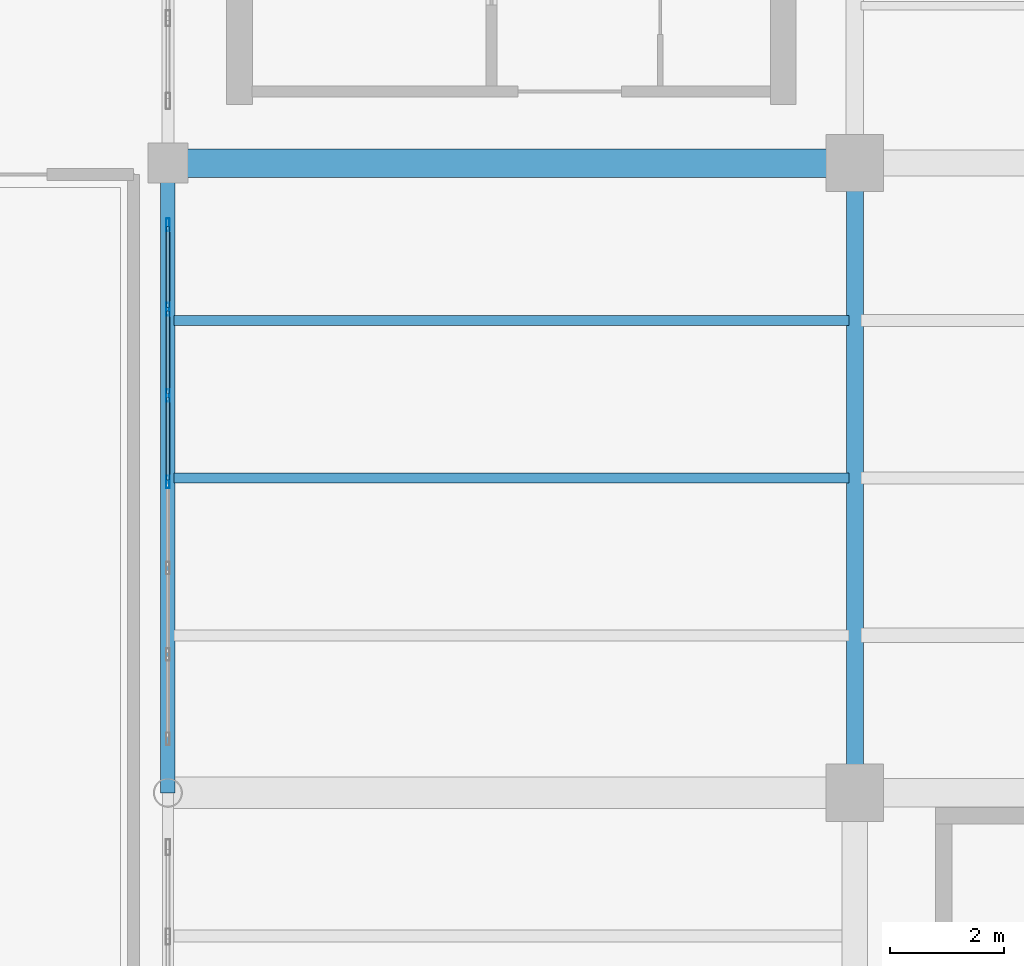
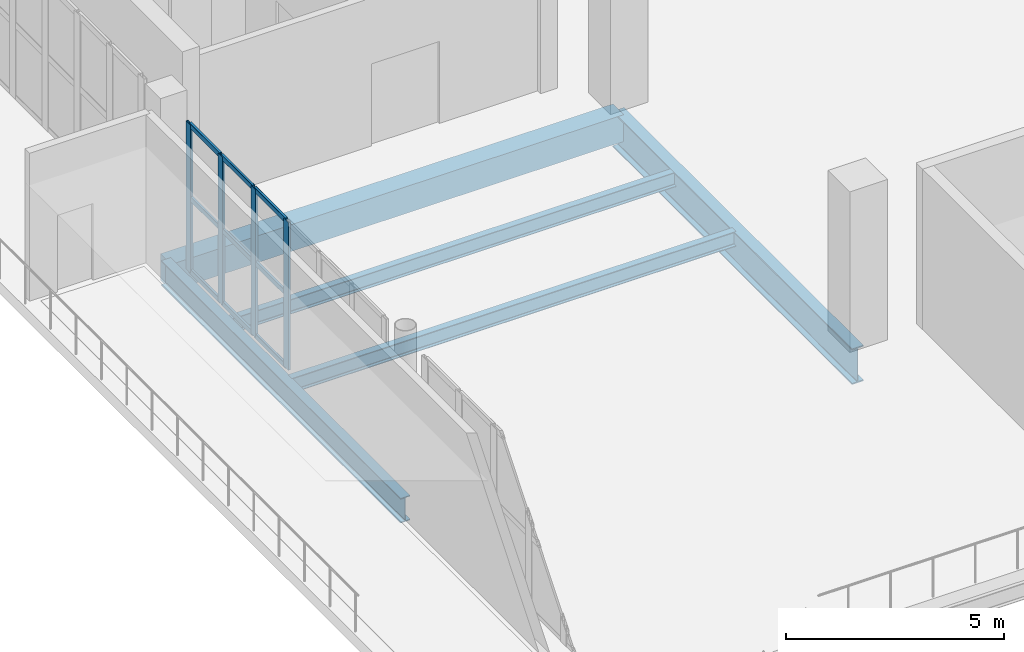
# One storey, part 15 of 108: 13 members, 5 beams, 1 element without a shape of its own.
"""IFC4 building model written with IfcOpenShell, lengths in metres."""

from ifc_helpers import new_model, si_unit, direction, frame, origin, origin_2d, place, context, subcontext, project, spatial, rectangle, hollow_rectangle, i_section, extrude, material, layer, layer_set, material_profile, profile_set, type_object, element, aggregate, save


model = new_model("IFC4")

# Units and contexts
model_context = context("Model", 3, precision=1e-05, world=origin(), true_north=direction((0.0, 1.0)))
body_context = subcontext(model_context, "Body", "Model", "MODEL_VIEW")
ifc_project = project(units=[si_unit("LENGTHUNIT", "METRE"), si_unit("AREAUNIT", "SQUARE_METRE"), si_unit("VOLUMEUNIT", "CUBIC_METRE"), si_unit("PLANEANGLEUNIT", "RADIAN"), si_unit("MASSUNIT", "GRAM", prefix="KILO")], contexts=[model_context])

# Site, building, storey
site_placement = place(None, origin())
site = spatial("IfcSite", under=ifc_project, at=site_placement, CompositionType="ELEMENT")
building_placement = place(site_placement, origin())
building = spatial("IfcBuilding", under=site, at=building_placement, Name="Brinegate Civic Arena", CompositionType="ELEMENT")
storey_placement = place(building_placement, frame((0.0, 0.0, 10.199951171875)))
storey = spatial("IfcBuildingStorey", under=building, at=storey_placement, Name="L02", CompositionType="ELEMENT", Elevation=10.199951171875)

# Curtain wall, members
ifc_material_1 = material(Name="Marine grade aluminium", Category="aluminium")
ifc_layer = layer(ifc_material_1, 0.199951171875, Name="Marine grade aluminium")
ifc_layer_set = layer_set([ifc_layer], Name="Marine grade aluminium")
curtain_wall_type = type_object("IfcCurtainWallType", Name="CW-BOWL-GLAZED-01", PredefinedType="USERDEFINED", material=ifc_layer_set)
curtain_wall_placement = place(storey_placement, origin())
curtain_wall = element("IfcCurtainWall", 1, at=curtain_wall_placement, inside=storey, type_object=curtain_wall_type, Name="Curtain Wall CWA-077", ObjectType="GLAZED CURTAIN WALL", PredefinedType="USERDEFINED")
ifc_material_profile_1 = material_profile(ifc_material_1, hollow_rectangle(XDim=0.06494140625, YDim=0.219970703125, WallThickness=0.006103515625, InnerFilletRadius=0.00390625, OuterFilletRadius=0.008056640625, at=origin_2d()), Name="MUL65X220")
ifc_profile_set_1 = profile_set([ifc_material_profile_1], Name="Marine grade aluminium")
member_type_1 = type_object("IfcMemberType", Name="CW-MULLION-65X220", PredefinedType="MULLION", material=ifc_profile_set_1)
member_1_placement = place(storey_placement, frame((48.0, 25.431884765625, 0.0), z_axis=(0.0, 0.0, 1.0), x_axis=(-1.0, 0.0, 0.0)))
member_1 = element("IfcMember", 2, at=member_1_placement, type_object=member_type_1, Name="CWA-077 mullion 4", PredefinedType="MULLION", context=body_context, shape_type="SweptSolid", body=[
    extrude(hollow_rectangle(XDim=0.06494140625, YDim=0.219970703125, WallThickness=0.006103515625, InnerFilletRadius=0.00390625, OuterFilletRadius=0.008056640625, at=origin_2d()), origin(), (0.0, 0.0, 1.0), 4.150146484375),
])
member_2_placement = place(storey_placement, frame((48.0, 26.939697265625, 0.0), z_axis=(0.0, 0.0, 1.0), x_axis=(-1.0, 0.0, 0.0)))
member_2 = element("IfcMember", 3, at=member_2_placement, type_object=member_type_1, Name="CWA-077 mullion 5", PredefinedType="MULLION", context=body_context, shape_type="SweptSolid", body=[
    extrude(hollow_rectangle(XDim=0.06494140625, YDim=0.219970703125, WallThickness=0.006103515625, InnerFilletRadius=0.00390625, OuterFilletRadius=0.008056640625, at=origin_2d()), origin(), (0.0, 0.0, 1.0), 4.150146484375),
])
member_3_placement = place(storey_placement, frame((48.0, 28.447265625, 0.0), z_axis=(0.0, 0.0, 1.0), x_axis=(-1.0, 0.0, 0.0)))
member_3 = element("IfcMember", 4, at=member_3_placement, type_object=member_type_1, Name="CWA-077 mullion 6", PredefinedType="MULLION", context=body_context, shape_type="SweptSolid", body=[
    extrude(hollow_rectangle(XDim=0.06494140625, YDim=0.219970703125, WallThickness=0.006103515625, InnerFilletRadius=0.00390625, OuterFilletRadius=0.008056640625, at=origin_2d()), origin(), (0.0, 0.0, 1.0), 4.150146484375),
])
member_4_placement = place(storey_placement, frame((48.0, 29.922607421875, 0.0), z_axis=(0.0, 0.0, 1.0), x_axis=(-1.0, 0.0, 0.0)))
member_4 = element("IfcMember", 5, at=member_4_placement, type_object=member_type_1, Name="CWA-077 mullion 7", PredefinedType="MULLION", context=body_context, shape_type="SweptSolid", body=[
    extrude(hollow_rectangle(XDim=0.06494140625, YDim=0.219970703125, WallThickness=0.006103515625, InnerFilletRadius=0.00390625, OuterFilletRadius=0.008056640625, at=origin_2d()), origin(), (0.0, 0.0, 1.0), 4.150146484375),
])
ifc_material_profile_2 = material_profile(ifc_material_1, hollow_rectangle(XDim=0.06494140625, YDim=0.139892578125, WallThickness=0.0048828125, InnerFilletRadius=0.00390625, OuterFilletRadius=0.008056640625, at=origin_2d()), Name="TRN65X140")
ifc_profile_set_2 = profile_set([ifc_material_profile_2], Name="Marine grade aluminium")
member_type_2 = type_object("IfcMemberType", Name="CW-TRANSOM-65X140", PredefinedType="USERDEFINED", material=ifc_profile_set_2)
member_5_placement = place(storey_placement, frame((48.0, 25.464599609375, 0.032470703125), z_axis=(0.0, 1.0, 0.0), x_axis=(-1.0, 0.0, 0.0)))
member_5 = element("IfcMember", 6, at=member_5_placement, type_object=member_type_2, Name="CWA-077 transom 4.1", ObjectType="TRANSOM", PredefinedType="USERDEFINED", context=body_context, shape_type="SweptSolid", body=[
    extrude(hollow_rectangle(XDim=0.06494140625, YDim=0.139892578125, WallThickness=0.0048828125, InnerFilletRadius=0.00390625, OuterFilletRadius=0.008056640625, at=origin_2d()), origin(), (0.0, 0.0, 1.0), 1.442626953125),
])
member_6_placement = place(storey_placement, frame((48.0, 25.464599609375, 2.074951171875), z_axis=(0.0, 1.0, 0.0), x_axis=(-1.0, 0.0, 0.0)))
member_6 = element("IfcMember", 7, at=member_6_placement, type_object=member_type_2, Name="CWA-077 transom 4.2", ObjectType="TRANSOM", PredefinedType="USERDEFINED", context=body_context, shape_type="SweptSolid", body=[
    extrude(hollow_rectangle(XDim=0.06494140625, YDim=0.139892578125, WallThickness=0.0048828125, InnerFilletRadius=0.00390625, OuterFilletRadius=0.008056640625, at=origin_2d()), origin(), (0.0, 0.0, 1.0), 1.442626953125),
])
member_7_placement = place(storey_placement, frame((48.0, 25.464599609375, 4.117431640625), z_axis=(0.0, 1.0, 0.0), x_axis=(-1.0, 0.0, 0.0)))
member_7 = element("IfcMember", 8, at=member_7_placement, type_object=member_type_2, Name="CWA-077 transom 4.3", ObjectType="TRANSOM", PredefinedType="USERDEFINED", context=body_context, shape_type="SweptSolid", body=[
    extrude(hollow_rectangle(XDim=0.06494140625, YDim=0.139892578125, WallThickness=0.0048828125, InnerFilletRadius=0.00390625, OuterFilletRadius=0.008056640625, at=origin_2d()), origin(), (0.0, 0.0, 1.0), 1.442626953125),
])
member_8_placement = place(storey_placement, frame((48.0, 26.97216796875, 0.032470703125), z_axis=(0.0, 1.0, 0.0), x_axis=(-1.0, 0.0, 0.0)))
member_8 = element("IfcMember", 9, at=member_8_placement, type_object=member_type_2, Name="CWA-077 transom 5.1", ObjectType="TRANSOM", PredefinedType="USERDEFINED", context=body_context, shape_type="SweptSolid", body=[
    extrude(hollow_rectangle(XDim=0.06494140625, YDim=0.139892578125, WallThickness=0.0048828125, InnerFilletRadius=0.00390625, OuterFilletRadius=0.008056640625, at=origin_2d()), origin(), (0.0, 0.0, 1.0), 1.442626953125),
])
member_9_placement = place(storey_placement, frame((48.0, 26.97216796875, 2.074951171875), z_axis=(0.0, 1.0, 0.0), x_axis=(-1.0, 0.0, 0.0)))
member_9 = element("IfcMember", 10, at=member_9_placement, type_object=member_type_2, Name="CWA-077 transom 5.2", ObjectType="TRANSOM", PredefinedType="USERDEFINED", context=body_context, shape_type="SweptSolid", body=[
    extrude(hollow_rectangle(XDim=0.06494140625, YDim=0.139892578125, WallThickness=0.0048828125, InnerFilletRadius=0.00390625, OuterFilletRadius=0.008056640625, at=origin_2d()), origin(), (0.0, 0.0, 1.0), 1.442626953125),
])
member_10_placement = place(storey_placement, frame((48.0, 26.97216796875, 4.117431640625), z_axis=(0.0, 1.0, 0.0), x_axis=(-1.0, 0.0, 0.0)))
member_10 = element("IfcMember", 11, at=member_10_placement, type_object=member_type_2, Name="CWA-077 transom 5.3", ObjectType="TRANSOM", PredefinedType="USERDEFINED", context=body_context, shape_type="SweptSolid", body=[
    extrude(hollow_rectangle(XDim=0.06494140625, YDim=0.139892578125, WallThickness=0.0048828125, InnerFilletRadius=0.00390625, OuterFilletRadius=0.008056640625, at=origin_2d()), origin(), (0.0, 0.0, 1.0), 1.442626953125),
])
member_11_placement = place(storey_placement, frame((48.0, 28.479736328125, 0.032470703125), z_axis=(0.0, 1.0, 0.0), x_axis=(-1.0, 0.0, 0.0)))
member_11 = element("IfcMember", 12, at=member_11_placement, type_object=member_type_2, Name="CWA-077 transom 6.1", ObjectType="TRANSOM", PredefinedType="USERDEFINED", context=body_context, shape_type="SweptSolid", body=[
    extrude(hollow_rectangle(XDim=0.06494140625, YDim=0.139892578125, WallThickness=0.0048828125, InnerFilletRadius=0.00390625, OuterFilletRadius=0.008056640625, at=origin_2d()), origin(), (0.0, 0.0, 1.0), 1.41015625),
])
member_12_placement = place(storey_placement, frame((48.0, 28.479736328125, 2.074951171875), z_axis=(0.0, 1.0, 0.0), x_axis=(-1.0, 0.0, 0.0)))
member_12 = element("IfcMember", 13, at=member_12_placement, type_object=member_type_2, Name="CWA-077 transom 6.2", ObjectType="TRANSOM", PredefinedType="USERDEFINED", context=body_context, shape_type="SweptSolid", body=[
    extrude(hollow_rectangle(XDim=0.06494140625, YDim=0.139892578125, WallThickness=0.0048828125, InnerFilletRadius=0.00390625, OuterFilletRadius=0.008056640625, at=origin_2d()), origin(), (0.0, 0.0, 1.0), 1.41015625),
])
member_13_placement = place(storey_placement, frame((48.0, 28.479736328125, 4.117431640625), z_axis=(0.0, 1.0, 0.0), x_axis=(-1.0, 0.0, 0.0)))
member_13 = element("IfcMember", 14, at=member_13_placement, type_object=member_type_2, Name="CWA-077 transom 6.3", ObjectType="TRANSOM", PredefinedType="USERDEFINED", context=body_context, shape_type="SweptSolid", body=[
    extrude(hollow_rectangle(XDim=0.06494140625, YDim=0.139892578125, WallThickness=0.0048828125, InnerFilletRadius=0.00390625, OuterFilletRadius=0.008056640625, at=origin_2d()), origin(), (0.0, 0.0, 1.0), 1.41015625),
])
aggregate(curtain_wall, [member_1, member_2, member_3, member_4, member_5, member_6, member_7, member_8, member_9, member_10, member_11, member_12, member_13])

# Beams
ifc_material_2 = material(Name="Steel S355", Category="steel")
ifc_material_profile_3 = material_profile(ifc_material_2, i_section(OverallWidth=0.300048828125, OverallDepth=1.0, WebThickness=0.01904296875, FlangeThickness=0.031982421875, FilletRadius=0.02392578125, at=origin_2d()), Name="W1000X321")
ifc_profile_set_3 = profile_set([ifc_material_profile_3], Name="Steel S355")
beam_type_1 = type_object("IfcBeamType", Name="GIRDER-W1000X321", PredefinedType="BEAM", material=ifc_profile_set_3)
beam_1_placement = place(storey_placement, frame((60.0, 20.0, -0.829833984375), z_axis=(0.0, 1.0, 0.0), x_axis=(-1.0, 0.0, 0.0)))
element("IfcBeam", 15, at=beam_1_placement, inside=storey, type_object=beam_type_1, Name="Floor Girder BM-L02-GY-05-02", PredefinedType="BEAM", context=body_context, shape_type="SweptSolid", body=[
    extrude(i_section(OverallWidth=0.300048828125, OverallDepth=1.0, WebThickness=0.01904296875, FlangeThickness=0.031982421875, FilletRadius=0.02392578125, at=origin_2d()), origin(), (0.0, 0.0, 1.0), 11.0),
])
ifc_material_profile_4 = material_profile(ifc_material_2, i_section(OverallWidth=0.178955078125, OverallDepth=0.409912109375, WebThickness=0.009033203125, FlangeThickness=0.013916015625, FilletRadius=0.013916015625, at=origin_2d()), Name="W410X67")
ifc_profile_set_4 = profile_set([ifc_material_profile_4], Name="Steel S355")
beam_type_2 = type_object("IfcBeamType", Name="JOIST-W410X67", PredefinedType="JOIST", material=ifc_profile_set_4)
beam_2_placement = place(storey_placement, frame((48.10595703125, 28.25, -0.534912109375), z_axis=(1.0, 0.0, 0.0), x_axis=(0.0, 1.0, 0.0)))
element("IfcBeam", 16, at=beam_2_placement, inside=storey, type_object=beam_type_2, Name="Secondary Joist BM-L02-JX-04-02-3", PredefinedType="JOIST", context=body_context, shape_type="SweptSolid", body=[
    extrude(i_section(OverallWidth=0.178955078125, OverallDepth=0.409912109375, WebThickness=0.009033203125, FlangeThickness=0.013916015625, FilletRadius=0.013916015625, at=origin_2d()), origin(), (0.0, 0.0, 1.0), 11.7880859375),
])
ifc_material_profile_5 = material_profile(ifc_material_2, i_section(OverallWidth=0.180908203125, OverallDepth=0.4169921875, WebThickness=0.010986328125, FlangeThickness=0.01806640625, FilletRadius=0.013916015625, at=origin_2d()), Name="W410X85")
ifc_profile_set_5 = profile_set([ifc_material_profile_5], Name="Steel S355")
beam_type_3 = type_object("IfcBeamType", Name="JOIST-W410X85", PredefinedType="JOIST", material=ifc_profile_set_5)
beam_3_placement = place(storey_placement, frame((48.10595703125, 25.5, -0.537841796875), z_axis=(1.0, 0.0, 0.0), x_axis=(0.0, 1.0, 0.0)))
element("IfcBeam", 17, at=beam_3_placement, inside=storey, type_object=beam_type_3, Name="Secondary Joist BM-L02-JX-04-02-2", PredefinedType="JOIST", context=body_context, shape_type="SweptSolid", body=[
    extrude(i_section(OverallWidth=0.180908203125, OverallDepth=0.4169921875, WebThickness=0.010986328125, FlangeThickness=0.01806640625, FilletRadius=0.013916015625, at=origin_2d()), origin(), (0.0, 0.0, 1.0), 11.7880859375),
])
ifc_material_3 = material(Name="Concrete C50/60", Category="concrete")
ifc_material_profile_6 = material_profile(ifc_material_3, rectangle(XDim=0.5, YDim=0.75, at=origin_2d()), Name="RCB500X750")
ifc_profile_set_6 = profile_set([ifc_material_profile_6], Name="Concrete C50/60")
beam_type_4 = type_object("IfcBeamType", Name="RCG-500X750", PredefinedType="BEAM", material=ifc_profile_set_6)
beam_4_placement = place(storey_placement, frame((48.0, 31.0, -0.704833984375), z_axis=(1.0, 0.0, 0.0), x_axis=(0.0, 1.0, 0.0)))
element("IfcBeam", 18, at=beam_4_placement, inside=storey, type_object=beam_type_4, Name="Floor Girder BM-L02-GX-04-03", PredefinedType="BEAM", context=body_context, shape_type="SweptSolid", body=[
    extrude(rectangle(XDim=0.5, YDim=0.75, at=origin_2d()), origin(), (0.0, 0.0, 1.0), 12.0),
])
ifc_material_profile_7 = material_profile(ifc_material_2, i_section(OverallWidth=0.256103515625, OverallDepth=0.693115234375, WebThickness=0.014892578125, FlangeThickness=0.02392578125, FilletRadius=0.01806640625, at=origin_2d()), Name="W690X170")
ifc_profile_set_7 = profile_set([ifc_material_profile_7], Name="Steel S355")
beam_type_5 = type_object("IfcBeamType", Name="SPANDREL-W690X170", PredefinedType="SPANDREL", material=ifc_profile_set_7)
beam_5_placement = place(storey_placement, frame((48.0, 20.0, -0.676025390625), z_axis=(0.0, 1.0, 0.0), x_axis=(-1.0, 0.0, 0.0)))
element("IfcBeam", 19, at=beam_5_placement, inside=storey, type_object=beam_type_5, Name="Floor Girder BM-L02-GY-04-02", PredefinedType="SPANDREL", context=body_context, shape_type="SweptSolid", body=[
    extrude(i_section(OverallWidth=0.256103515625, OverallDepth=0.693115234375, WebThickness=0.014892578125, FlangeThickness=0.02392578125, FilletRadius=0.01806640625, at=origin_2d()), origin(), (0.0, 0.0, 1.0), 11.0),
])

save(model, "model.ifc")
